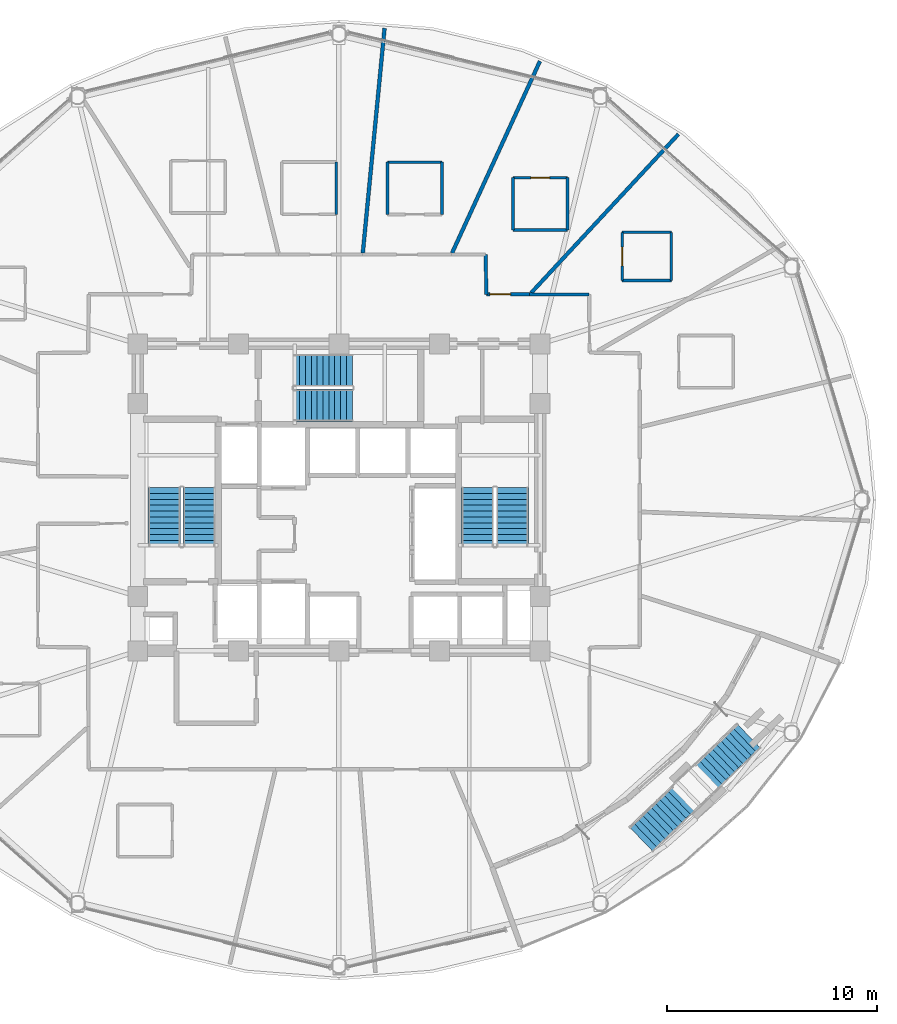
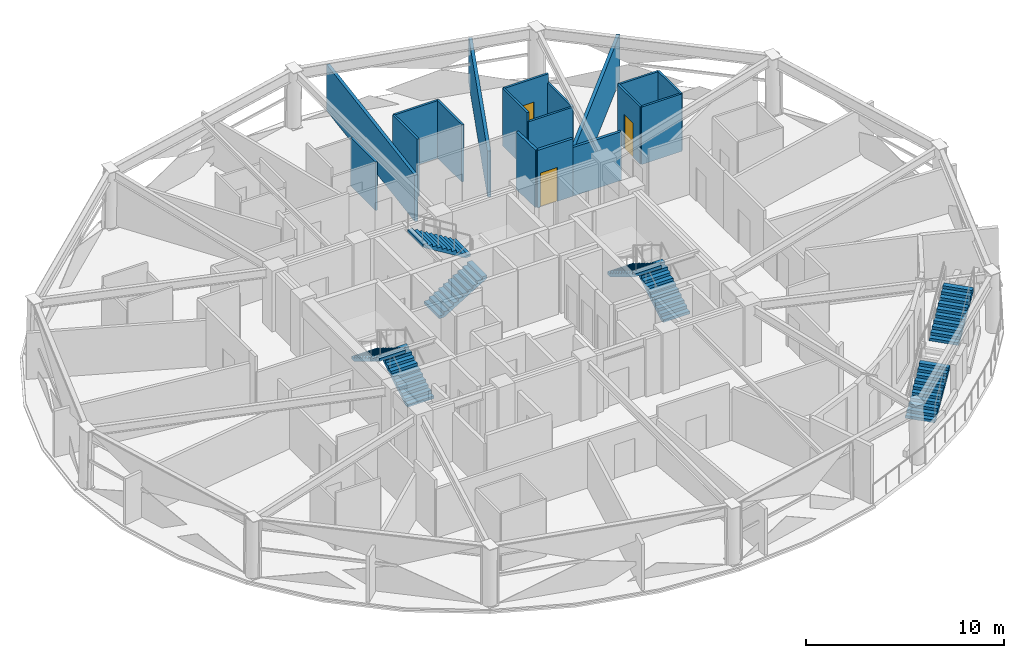
# One storey, part 14 of 18: 18 walls, 8 stair flights, 3 doors, 3 openings, 4 elements without a shape of their own.
"""IFC4 building model written with IfcOpenShell, lengths in metres."""

from ifc_helpers import new_model, si_unit, direction, frame, frame_2d, origin, place, context, subcontext, project, spatial, polyline, rectangle, outline, extrude, material, layer, layer_set, type_object, element, fill, aggregate, save


model = new_model("IFC4")

# Units and contexts
model_context = context("Model", 3, precision=1e-05, world=origin(), true_north=direction((0.0, 1.0)))
body_context = subcontext(model_context, "Body", "Model", "MODEL_VIEW")
ifc_project = project(units=[si_unit("LENGTHUNIT", "METRE"), si_unit("AREAUNIT", "SQUARE_METRE"), si_unit("VOLUMEUNIT", "CUBIC_METRE"), si_unit("PLANEANGLEUNIT", "RADIAN"), si_unit("MASSUNIT", "GRAM", prefix="KILO")], contexts=[model_context])

# Site, building, storey
site_placement = place(None, origin())
site = spatial("IfcSite", under=ifc_project, at=site_placement, CompositionType="ELEMENT")
building_placement = place(site_placement, origin())
building = spatial("IfcBuilding", under=site, at=building_placement, Name="Vantalir Tower", CompositionType="ELEMENT")
storey_placement = place(building_placement, frame((0.0, 0.0, 138.449951171875)))
storey = spatial("IfcBuildingStorey", under=building, at=storey_placement, Name="L34", CompositionType="ELEMENT", Elevation=138.449951171875)

# Walls
ifc_material_1 = material(Name="Moisture-resistant en-suite partition", Category="gypsum")
ifc_layer_1 = layer(ifc_material_1, 0.125)
ifc_layer_set_1 = layer_set([ifc_layer_1], Name="Moisture-resistant en-suite partition")
wall_type_1 = type_object("IfcWallType", Name="WL-BATH-125", PredefinedType="PARTITIONING", material=ifc_layer_set_1)
for number, where, z_axis, x_axis, name in (
    (1, (45.01806640625, 35.47412109375, 0.0), (0.0, 0.0, 1.0), (1.0, 0.0, 0.0), "L34 En-suite 02 South Wall"),
    (2, (45.01806640625, 37.77392578125, 0.0), (0.0, 0.0, 1.0), (1.0, 0.0, 0.0), "L34 En-suite 02 North Wall"),
):
    element("IfcWall", number, at=place(storey_placement, frame(where, z_axis=z_axis, x_axis=x_axis)), inside=storey, type_object=wall_type_1, Name=name, PredefinedType="PARTITIONING", context=body_context, shape_type="SweptSolid", body=[
        extrude(rectangle(XDim=2.349853515625, YDim=0.125, at=frame_2d((1.1748046875, 0.0))), origin(), (0.0, 0.0, 1.0), 3.550048828125),
    ])

# Wall, opening, door
wall_1_placement = place(storey_placement, frame((45.01806640625, 35.47412109375, 0.0), z_axis=(0.0, 0.0, 1.0), x_axis=(0.0, 1.0, 0.0)))
wall_1 = element("IfcWall", 3, at=wall_1_placement, inside=storey, type_object=wall_type_1, Name="L34 En-suite 02 West Wall", PredefinedType="PARTITIONING", context=body_context, shape_type="SweptSolid", body=[
    extrude(rectangle(XDim=2.2998046875, YDim=0.125, at=frame_2d((1.14990234375, 0.0))), origin(), (0.0, 0.0, 1.0), 3.550048828125),
])
opening_1_placement = place(wall_1_placement, frame((0.699951171875, 0.0, 0.0)))
opening_1 = element("IfcOpeningElement", 4, at=opening_1_placement, cuts=wall_1, Name="Opening D-WC", PredefinedType="OPENING", context=body_context, shape_type="SweptSolid", body=[
    extrude(rectangle(XDim=0.89990234375, YDim=2.10009765625, at=frame_2d((0.449951171875, 1.050048828125))), frame((0.0, 0.072509765625, 0.0), z_axis=(0.0, -1.0, 0.0), x_axis=(1.0, 0.0, 0.0)), (0.0, 0.0, 1.0), 0.14501953125),
])
ifc_material_2 = material(Name="Moisture-resistant hardwood door", Category="wood")
door_type_1 = type_object("IfcDoorType", Name="DR-ENSUITE-900", OperationType="NOTDEFINED", PredefinedType="DOOR", material=ifc_material_2)
door_1_placement = place(opening_1_placement, frame((0.89990234375, 0.0, 0.0), z_axis=(0.0, 0.0, 1.0), x_axis=(-1.0, 0.0, 0.0)))
door_1 = element("IfcDoor", 5, at=door_1_placement, inside=storey, type_object=door_type_1, Name="L34 En-suite 02 Door", OperationType="SINGLE_SWING_LEFT", OverallHeight=2.10009765625, OverallWidth=0.89990234375, PredefinedType="DOOR", context=body_context, shape_type="SweptSolid", body=[
    extrude(rectangle(XDim=0.89990234375, YDim=2.10009765625, at=frame_2d((0.449951171875, 1.050048828125))), frame((0.0, 0.02490234375, 0.0), z_axis=(0.0, -1.0, 0.0), x_axis=(1.0, 0.0, 0.0)), (0.0, 0.0, 1.0), 0.050048828125),
])
fill(opening_1, door_1)

# Walls
wall_2_placement = place(storey_placement, frame((47.367919921875, 35.47412109375, 0.0), z_axis=(0.0, 0.0, 1.0), x_axis=(0.0, 1.0, 0.0)))
element("IfcWall", 6, at=wall_2_placement, inside=storey, type_object=wall_type_1, Name="L34 En-suite 02 East Wall", PredefinedType="PARTITIONING", context=body_context, shape_type="SweptSolid", body=[
    extrude(rectangle(XDim=2.2998046875, YDim=0.125, at=frame_2d((1.14990234375, 0.0))), origin(), (0.0, 0.0, 1.0), 3.550048828125),
])
wall_3_placement = place(storey_placement, frame((39.80810546875, 37.885986328125, 0.0), z_axis=(0.0, 0.0, 1.0), x_axis=(1.0, 0.0, 0.0)))
element("IfcWall", 7, at=wall_3_placement, inside=storey, type_object=wall_type_1, Name="L34 En-suite 03 South Wall", PredefinedType="PARTITIONING", context=body_context, shape_type="SweptSolid", body=[
    extrude(rectangle(XDim=2.599853515625, YDim=0.125, at=frame_2d((1.2998046875, 0.0))), origin(), (0.0, 0.0, 1.0), 3.006103515625),
])

# Wall, opening, door
wall_4_placement = place(storey_placement, frame((39.80810546875, 40.385986328125, 0.0), z_axis=(0.0, 0.0, 1.0), x_axis=(1.0, 0.0, 0.0)))
wall_4 = element("IfcWall", 8, at=wall_4_placement, inside=storey, type_object=wall_type_1, Name="L34 En-suite 03 North Wall", PredefinedType="PARTITIONING", context=body_context, shape_type="SweptSolid", body=[
    extrude(rectangle(XDim=2.599853515625, YDim=0.125, at=frame_2d((1.2998046875, 0.0))), origin(), (0.0, 0.0, 1.0), 3.550048828125),
])
opening_2_placement = place(wall_4_placement, frame((0.85009765625, 0.0, 0.0)))
opening_2 = element("IfcOpeningElement", 9, at=opening_2_placement, cuts=wall_4, Name="Opening D-WC", PredefinedType="OPENING", context=body_context, shape_type="SweptSolid", body=[
    extrude(rectangle(XDim=0.89990234375, YDim=2.10009765625, at=frame_2d((0.449951171875, 1.050048828125))), frame((0.0, 0.072509765625, 0.0), z_axis=(0.0, -1.0, 0.0), x_axis=(1.0, 0.0, 0.0)), (0.0, 0.0, 1.0), 0.14501953125),
])
door_2_placement = place(opening_2_placement, frame((0.89990234375, 0.0, 0.0), z_axis=(0.0, 0.0, 1.0), x_axis=(-1.0, 0.0, 0.0)))
door_2 = element("IfcDoor", 10, at=door_2_placement, inside=storey, type_object=door_type_1, Name="L34 En-suite 03 Door", OperationType="SINGLE_SWING_RIGHT", OverallHeight=2.10009765625, OverallWidth=0.89990234375, PredefinedType="DOOR", context=body_context, shape_type="SweptSolid", body=[
    extrude(rectangle(XDim=0.89990234375, YDim=2.10009765625, at=frame_2d((0.449951171875, 1.050048828125))), frame((0.0, 0.02490234375, 0.0), z_axis=(0.0, -1.0, 0.0), x_axis=(1.0, 0.0, 0.0)), (0.0, 0.0, 1.0), 0.050048828125),
])
fill(opening_2, door_2)

# Walls
wall_5_placement = place(storey_placement, frame((39.80810546875, 37.885986328125, 0.0), z_axis=(0.0, 0.0, 1.0), x_axis=(0.0, 1.0, 0.0)))
element("IfcWall", 11, at=wall_5_placement, inside=storey, type_object=wall_type_1, Name="L34 En-suite 03 West Wall", PredefinedType="PARTITIONING", context=body_context, shape_type="SweptSolid", body=[
    extrude(rectangle(XDim=2.5, YDim=0.125, at=frame_2d((1.25, 0.0))), origin(), (0.0, 0.0, 1.0), 3.550048828125),
])
wall_6_placement = place(storey_placement, frame((42.407958984375, 37.885986328125, 0.0), z_axis=(0.0, 0.0, 1.0), x_axis=(0.0, 1.0, 0.0)))
element("IfcWall", 12, at=wall_6_placement, inside=storey, type_object=wall_type_1, Name="L34 En-suite 03 East Wall", PredefinedType="PARTITIONING", context=body_context, shape_type="SweptSolid", body=[
    extrude(rectangle(XDim=2.5, YDim=0.125, at=frame_2d((1.25, 0.0))), origin(), (0.0, 0.0, 1.0), 3.006103515625),
])
wall_7_placement = place(storey_placement, frame((33.820068359375, 41.12890625, 0.0), z_axis=(0.0, 0.0, 1.0), x_axis=(1.0, 0.0, 0.0)))
element("IfcWall", 13, at=wall_7_placement, inside=storey, type_object=wall_type_1, Name="L34 En-suite 04 North Wall", PredefinedType="PARTITIONING", context=body_context, shape_type="SweptSolid", body=[
    extrude(rectangle(XDim=2.599853515625, YDim=0.125, at=frame_2d((1.2998046875, 0.0))), origin(), (0.0, 0.0, 1.0), 3.550048828125),
])
for number, where, z_axis, x_axis, name in (
    (14, (33.820068359375, 38.62890625, 0.0), (0.0, 0.0, 1.0), (0.0, 1.0, 0.0), "L34 En-suite 04 West Wall"),
    (15, (36.419921875, 38.62890625, 0.0), (0.0, 0.0, 1.0), (0.0, 1.0, 0.0), "L34 En-suite 04 East Wall"),
):
    element("IfcWall", number, at=place(storey_placement, frame(where, z_axis=z_axis, x_axis=x_axis)), inside=storey, type_object=wall_type_1, Name=name, PredefinedType="PARTITIONING", context=body_context, shape_type="SweptSolid", body=[
        extrude(rectangle(XDim=2.5, YDim=0.125, at=frame_2d((1.25, 0.0))), origin(), (0.0, 0.0, 1.0), 3.550048828125),
    ])
wall_8_placement = place(storey_placement, frame((31.376953125, 38.631103515625, 0.0), z_axis=(0.0, 0.0, 1.0), x_axis=(0.0, 1.0, 0.0)))
element("IfcWall", 16, at=wall_8_placement, inside=storey, type_object=wall_type_1, Name="L34 En-suite 05 East Wall", PredefinedType="PARTITIONING", context=body_context, shape_type="SweptSolid", body=[
    extrude(rectangle(XDim=2.5, YDim=0.125, at=frame_2d((1.25, 0.0))), origin(), (0.0, 0.0, 1.0), 3.006103515625),
])
ifc_material_3 = material(Name="Fire-rated hotel corridor acoustic partition", Category="gypsum")
ifc_layer_2 = layer(ifc_material_3, 0.159912109375)
ifc_layer_set_2 = layer_set([ifc_layer_2], Name="Fire-rated hotel corridor acoustic partition")
wall_type_2 = type_object("IfcWallType", Name="WL-CORR-160", PredefinedType="PARTITIONING", material=ifc_layer_set_2)
wall_9_placement = place(storey_placement, frame((38.5, 36.715087890625, 0.0), z_axis=(0.0, 0.0, 1.0), x_axis=(0.021066889789, -0.999778068451, 0.0)))
element("IfcWall", 17, at=wall_9_placement, inside=storey, type_object=wall_type_2, Name="L34 Corridor Partition 14", PredefinedType="PARTITIONING", context=body_context, shape_type="SweptSolid", body=[
    extrude(rectangle(XDim=1.900634765625, YDim=0.159912109375, at=frame_2d((0.9501953125, 0.0))), origin(), (0.0, 0.0, 1.0), 3.550048828125),
])

# Wall, opening, door
wall_10_placement = place(storey_placement, frame((38.5400390625, 34.81494140625, 0.0), z_axis=(0.0, 0.0, 1.0), x_axis=(0.999998995441, -0.00141743302, 0.0)))
wall_10 = element("IfcWall", 18, at=wall_10_placement, inside=storey, type_object=wall_type_2, Name="L34 Corridor Partition 15", PredefinedType="PARTITIONING", context=body_context, shape_type="SweptSolid", body=[
    extrude(rectangle(XDim=2.06689453125, YDim=0.159912109375, at=frame_2d((1.033447265625, 0.0))), origin(), (0.0, 0.0, 1.0), 3.550048828125),
])
opening_3_placement = place(wall_10_placement, frame((0.159912109375, 0.0, 0.0)))
opening_3 = element("IfcOpeningElement", 19, at=opening_3_placement, cuts=wall_10, Name="Opening D-GUEST", PredefinedType="OPENING", context=body_context, shape_type="SweptSolid", body=[
    extrude(rectangle(XDim=1.0, YDim=2.10009765625, at=frame_2d((0.5, 1.050048828125))), frame((0.0, 0.08984375, 0.0), z_axis=(0.0, -1.0, 0.0), x_axis=(1.0, 0.0, 0.0)), (0.0, 0.0, 1.0), 0.179931640625),
])
ifc_material_4 = material(Name="Solid-core teak veneer acoustic fire door", Category="wood")
door_type_2 = type_object("IfcDoorType", Name="DR-GUEST-ENTRY-1000", OperationType="NOTDEFINED", PredefinedType="DOOR", material=ifc_material_4)
door_3_placement = place(opening_3_placement, origin())
door_3 = element("IfcDoor", 20, at=door_3_placement, inside=storey, type_object=door_type_2, Name="L34 Deluxe King Hotel Room 03 Door", OperationType="SINGLE_SWING_RIGHT", OverallHeight=2.10009765625, OverallWidth=1.0, PredefinedType="DOOR", context=body_context, shape_type="SweptSolid", body=[
    extrude(rectangle(XDim=1.0, YDim=2.10009765625, at=frame_2d((0.5, 1.050048828125))), frame((0.0, 0.02490234375, 0.0), z_axis=(0.0, -1.0, 0.0), x_axis=(1.0, 0.0, 0.0)), (0.0, 0.0, 1.0), 0.050048828125),
])
fill(opening_3, door_3)

# Walls
wall_11_placement = place(storey_placement, frame((40.60693359375, 34.81201171875, 0.0), z_axis=(0.0, 0.0, 1.0), x_axis=(0.999999054142, -0.001375396275, 0.0)))
element("IfcWall", 21, at=wall_11_placement, inside=storey, type_object=wall_type_2, Name="L34 Corridor Partition 16", PredefinedType="PARTITIONING", context=body_context, shape_type="SweptSolid", body=[
    extrude(rectangle(XDim=2.840087890625, YDim=0.159912109375, at=frame_2d((1.419921875, 0.0))), origin(), (0.0, 0.0, 1.0), 3.006103515625),
])
ifc_material_5 = material(Name="Twin-stud acoustic fire-rated gypsum partition", Category="gypsum")
ifc_layer_3 = layer(ifc_material_5, 0.179931640625)
ifc_layer_set_3 = layer_set([ifc_layer_3], Name="Twin-stud acoustic fire-rated gypsum partition")
wall_type_3 = type_object("IfcWallType", Name="WL-GUEST-180", PredefinedType="PARTITIONING", material=ifc_layer_set_3)
wall_12_placement = place(storey_placement, frame((40.678955078125, 34.889892578125, 0.0), z_axis=(0.0, 0.0, 1.0), x_axis=(0.680283347566, 0.732949225407, 0.0)))
element("IfcWall", 22, at=wall_12_placement, inside=storey, type_object=wall_type_3, Name="L34 Radial Suite Partition 03", PredefinedType="PARTITIONING", context=body_context, shape_type="SweptSolid", body=[
    extrude(rectangle(XDim=10.328125, YDim=0.179931640625, at=frame_2d((5.1640625, 0.0))), origin(), (0.0, 0.0, 1.0), 2.85205078125),
])
wall_13_placement = place(storey_placement, frame((36.902099609375, 36.7900390625, 0.0), z_axis=(0.0, 0.0, 1.0), x_axis=(0.416432554109, 0.909166611726, 0.0)))
element("IfcWall", 23, at=wall_13_placement, inside=storey, type_object=wall_type_3, Name="L34 Radial Suite Partition 04", PredefinedType="PARTITIONING", context=body_context, shape_type="SweptSolid", body=[
    extrude(rectangle(XDim=10.066162109375, YDim=0.179931640625, at=frame_2d((5.033203125, 0.0))), origin(), (0.0, 0.0, 1.0), 2.85205078125),
])
wall_14_placement = place(storey_placement, frame((32.64111328125, 36.7900390625, 0.0), z_axis=(0.0, 0.0, 1.0), x_axis=(0.096319850098, 0.995350434007, 0.0)))
element("IfcWall", 24, at=wall_14_placement, inside=storey, type_object=wall_type_3, Name="L34 Radial Suite Partition 05", PredefinedType="PARTITIONING", context=body_context, shape_type="SweptSolid", body=[
    extrude(rectangle(XDim=10.77490234375, YDim=0.179931640625, at=frame_2d((5.387451171875, 0.0))), origin(), (0.0, 0.0, 1.0), 2.85205078125),
])

# Stair, stair flights
ifc_material_6 = material(Name="Concrete C40/50", Category="concrete")
stair_type_1 = type_object("IfcStairType", Name="STR-CORE-1450", PredefinedType="HALF_TURN_STAIR", material=ifc_material_6)
stair_1_placement = place(storey_placement, origin())
stair_1 = element("IfcStair", 25, at=stair_1_placement, inside=storey, type_object=stair_type_1, Name="L34 Core Exit Stair 1", PredefinedType="HALF_TURN_STAIR")
stair_flight_type_1 = type_object("IfcStairFlightType", Name="FLT-CORE-1450", PredefinedType="STRAIGHT", material=ifc_material_6)
stair_flight_1_placement = place(storey_placement, frame((24.830078125, 22.7900390625, 0.0), z_axis=(0.0, 0.0, 1.0), x_axis=(0.0, 1.0, 0.0)))
stair_flight_1 = element("IfcStairFlight", 26, at=stair_flight_1_placement, type_object=stair_flight_type_1, Name="ST1 flight 1", NumberOfRisers=11, NumberOfTreads=10, PredefinedType="STRAIGHT", RiserHeight=0.170454545, TreadLength=0.28, context=body_context, shape_type="SweptSolid", body=[
    extrude(outline(polyline([(0.0, 0.0), (0.0, 0.17041015625), (0.280029296875, 0.17041015625), (0.280029296875, 0.3408203125), (0.56005859375, 0.3408203125), (0.56005859375, 0.511474609375), (0.840087890625, 0.511474609375), (0.840087890625, 0.681884765625), (1.1201171875, 0.681884765625), (1.1201171875, 0.852294921875), (1.39990234375, 0.852294921875), (1.39990234375, 1.022705078125), (1.679931640625, 1.022705078125), (1.679931640625, 1.193115234375), (1.9599609375, 1.193115234375), (1.9599609375, 1.363525390625), (2.239990234375, 1.363525390625), (2.239990234375, 1.5341796875), (2.52001953125, 1.5341796875), (2.52001953125, 1.70458984375), (2.800048828125, 1.70458984375), (2.800048828125, 1.875), (2.800048828125, 1.529052734375), (0.288330078125, 0.0), (0.0, 0.0)])), frame((0.0, 0.77001953125, 0.0), z_axis=(0.0, -1.0, 0.0), x_axis=(1.0, 0.0, 0.0)), (0.0, 0.0, 1.0), 1.5400390625),
])
stair_flight_2_placement = place(storey_placement, frame((23.169921875, 25.590087890625, 1.875), z_axis=(0.0, 0.0, 1.0), x_axis=(0.0, -1.0, 0.0)))
stair_flight_2 = element("IfcStairFlight", 27, at=stair_flight_2_placement, type_object=stair_flight_type_1, Name="ST1 flight 2", NumberOfRisers=11, NumberOfTreads=10, PredefinedType="STRAIGHT", RiserHeight=0.170454545, TreadLength=0.28, context=body_context, shape_type="SweptSolid", body=[
    extrude(outline(polyline([(0.0, 0.0), (0.0, 0.17041015625), (0.280029296875, 0.17041015625), (0.280029296875, 0.3408203125), (0.56005859375, 0.3408203125), (0.56005859375, 0.511474609375), (0.840087890625, 0.511474609375), (0.840087890625, 0.681884765625), (1.1201171875, 0.681884765625), (1.1201171875, 0.852294921875), (1.39990234375, 0.852294921875), (1.39990234375, 1.022705078125), (1.679931640625, 1.022705078125), (1.679931640625, 1.193115234375), (1.9599609375, 1.193115234375), (1.9599609375, 1.363525390625), (2.239990234375, 1.363525390625), (2.239990234375, 1.5341796875), (2.52001953125, 1.5341796875), (2.52001953125, 1.70458984375), (2.800048828125, 1.70458984375), (2.800048828125, 1.875), (2.800048828125, 1.529052734375), (0.288330078125, 0.0), (0.0, 0.0)])), frame((0.0, 0.77001953125, 0.0), z_axis=(0.0, -1.0, 0.0), x_axis=(1.0, 0.0, 0.0)), (0.0, 0.0, 1.0), 1.5400390625),
])
aggregate(stair_1, [stair_flight_1, stair_flight_2])

stair_2_placement = place(storey_placement, origin())
stair_2 = element("IfcStair", 28, at=stair_2_placement, inside=storey, type_object=stair_type_1, Name="L34 Core Exit Stair 2", PredefinedType="HALF_TURN_STAIR")
stair_flight_3_placement = place(storey_placement, frame((39.780029296875, 22.7900390625, 0.0), z_axis=(0.0, 0.0, 1.0), x_axis=(0.0, 1.0, 0.0)))
stair_flight_3 = element("IfcStairFlight", 29, at=stair_flight_3_placement, type_object=stair_flight_type_1, Name="ST2 flight 1", NumberOfRisers=11, NumberOfTreads=10, PredefinedType="STRAIGHT", RiserHeight=0.170454545, TreadLength=0.28, context=body_context, shape_type="SweptSolid", body=[
    extrude(outline(polyline([(0.0, 0.0), (0.0, 0.17041015625), (0.280029296875, 0.17041015625), (0.280029296875, 0.3408203125), (0.56005859375, 0.3408203125), (0.56005859375, 0.511474609375), (0.840087890625, 0.511474609375), (0.840087890625, 0.681884765625), (1.1201171875, 0.681884765625), (1.1201171875, 0.852294921875), (1.39990234375, 0.852294921875), (1.39990234375, 1.022705078125), (1.679931640625, 1.022705078125), (1.679931640625, 1.193115234375), (1.9599609375, 1.193115234375), (1.9599609375, 1.363525390625), (2.239990234375, 1.363525390625), (2.239990234375, 1.5341796875), (2.52001953125, 1.5341796875), (2.52001953125, 1.70458984375), (2.800048828125, 1.70458984375), (2.800048828125, 1.875), (2.800048828125, 1.529052734375), (0.288330078125, 0.0), (0.0, 0.0)])), frame((0.0, 0.77001953125, 0.0), z_axis=(0.0, -1.0, 0.0), x_axis=(1.0, 0.0, 0.0)), (0.0, 0.0, 1.0), 1.5400390625),
])
stair_flight_4_placement = place(storey_placement, frame((38.1201171875, 25.590087890625, 1.875), z_axis=(0.0, 0.0, 1.0), x_axis=(0.0, -1.0, 0.0)))
stair_flight_4 = element("IfcStairFlight", 30, at=stair_flight_4_placement, type_object=stair_flight_type_1, Name="ST2 flight 2", NumberOfRisers=11, NumberOfTreads=10, PredefinedType="STRAIGHT", RiserHeight=0.170454545, TreadLength=0.28, context=body_context, shape_type="SweptSolid", body=[
    extrude(outline(polyline([(0.0, 0.0), (0.0, 0.17041015625), (0.280029296875, 0.17041015625), (0.280029296875, 0.3408203125), (0.56005859375, 0.3408203125), (0.56005859375, 0.511474609375), (0.840087890625, 0.511474609375), (0.840087890625, 0.681884765625), (1.1201171875, 0.681884765625), (1.1201171875, 0.852294921875), (1.39990234375, 0.852294921875), (1.39990234375, 1.022705078125), (1.679931640625, 1.022705078125), (1.679931640625, 1.193115234375), (1.9599609375, 1.193115234375), (1.9599609375, 1.363525390625), (2.239990234375, 1.363525390625), (2.239990234375, 1.5341796875), (2.52001953125, 1.5341796875), (2.52001953125, 1.70458984375), (2.800048828125, 1.70458984375), (2.800048828125, 1.875), (2.800048828125, 1.529052734375), (0.288330078125, 0.0), (0.0, 0.0)])), frame((0.0, 0.77001953125, 0.0), z_axis=(0.0, -1.0, 0.0), x_axis=(1.0, 0.0, 0.0)), (0.0, 0.0, 1.0), 1.5400390625),
])
aggregate(stair_2, [stair_flight_3, stair_flight_4])

stair_3_placement = place(storey_placement, origin())
stair_3 = element("IfcStair", 31, at=stair_3_placement, inside=storey, type_object=stair_type_1, Name="L34 Core Exit Stair 3", PredefinedType="HALF_TURN_STAIR")
stair_flight_5_placement = place(storey_placement, frame((29.340087890625, 29.52001953125, 0.0), z_axis=(0.0, 0.0, 1.0), x_axis=(1.0, 0.0, 0.0)))
stair_flight_5 = element("IfcStairFlight", 32, at=stair_flight_5_placement, type_object=stair_flight_type_1, Name="ST3 flight 1", NumberOfRisers=11, NumberOfTreads=10, PredefinedType="STRAIGHT", RiserHeight=0.170454545, TreadLength=0.28, context=body_context, shape_type="SweptSolid", body=[
    extrude(outline(polyline([(0.0, 0.0), (0.0, 0.17041015625), (0.280029296875, 0.17041015625), (0.280029296875, 0.3408203125), (0.56005859375, 0.3408203125), (0.56005859375, 0.511474609375), (0.840087890625, 0.511474609375), (0.840087890625, 0.681884765625), (1.1201171875, 0.681884765625), (1.1201171875, 0.852294921875), (1.39990234375, 0.852294921875), (1.39990234375, 1.022705078125), (1.679931640625, 1.022705078125), (1.679931640625, 1.193115234375), (1.9599609375, 1.193115234375), (1.9599609375, 1.363525390625), (2.239990234375, 1.363525390625), (2.239990234375, 1.5341796875), (2.52001953125, 1.5341796875), (2.52001953125, 1.70458984375), (2.800048828125, 1.70458984375), (2.800048828125, 1.875), (2.800048828125, 1.529052734375), (0.288330078125, 0.0), (0.0, 0.0)])), frame((0.0, 0.77001953125, 0.0), z_axis=(0.0, -1.0, 0.0), x_axis=(1.0, 0.0, 0.0)), (0.0, 0.0, 1.0), 1.5400390625),
])
stair_flight_6_placement = place(storey_placement, frame((32.139892578125, 31.179931640625, 1.875), z_axis=(0.0, 0.0, 1.0), x_axis=(-1.0, 0.0, 0.0)))
stair_flight_6 = element("IfcStairFlight", 33, at=stair_flight_6_placement, type_object=stair_flight_type_1, Name="ST3 flight 2", NumberOfRisers=11, NumberOfTreads=10, PredefinedType="STRAIGHT", RiserHeight=0.170454545, TreadLength=0.28, context=body_context, shape_type="SweptSolid", body=[
    extrude(outline(polyline([(0.0, 0.0), (0.0, 0.17041015625), (0.280029296875, 0.17041015625), (0.280029296875, 0.3408203125), (0.56005859375, 0.3408203125), (0.56005859375, 0.511474609375), (0.840087890625, 0.511474609375), (0.840087890625, 0.681884765625), (1.1201171875, 0.681884765625), (1.1201171875, 0.852294921875), (1.39990234375, 0.852294921875), (1.39990234375, 1.022705078125), (1.679931640625, 1.022705078125), (1.679931640625, 1.193115234375), (1.9599609375, 1.193115234375), (1.9599609375, 1.363525390625), (2.239990234375, 1.363525390625), (2.239990234375, 1.5341796875), (2.52001953125, 1.5341796875), (2.52001953125, 1.70458984375), (2.800048828125, 1.70458984375), (2.800048828125, 1.875), (2.800048828125, 1.529052734375), (0.288330078125, 0.0), (0.0, 0.0)])), frame((0.0, 0.77001953125, 0.0), z_axis=(0.0, -1.0, 0.0), x_axis=(1.0, 0.0, 0.0)), (0.0, 0.0, 1.0), 1.5400390625),
])
aggregate(stair_3, [stair_flight_5, stair_flight_6])

ifc_material_7 = material(Name="Steel S355", Category="steel")
stair_type_2 = type_object("IfcStairType", Name="STR-SKYGARDEN-1550", PredefinedType="STRAIGHT_RUN_STAIR", material=ifc_material_7)
stair_4_placement = place(storey_placement, origin())
stair_4 = element("IfcStair", 34, at=stair_4_placement, inside=storey, type_object=stair_type_2, Name="Sky Garden Feature Stair SG2", PredefinedType="STRAIGHT_RUN_STAIR")
stair_flight_type_2 = type_object("IfcStairFlightType", Name="FLT-SKYGARDEN-1550", PredefinedType="STRAIGHT", material=ifc_material_7)
stair_flight_7_placement = place(storey_placement, frame((45.919921875, 8.81396484375, 0.0), z_axis=(0.0, 0.0, 1.0), x_axis=(0.720737458683, 0.693208132996, 0.0)))
stair_flight_7 = element("IfcStairFlight", 35, at=stair_flight_7_placement, type_object=stair_flight_type_2, Name="ST-SG2 flight 1", NumberOfRisers=11, NumberOfTreads=10, PredefinedType="STRAIGHT", RiserHeight=0.170455, TreadLength=0.28, context=body_context, shape_type="SweptSolid", body=[
    extrude(outline(polyline([(0.0, 0.0), (0.0, 0.17041015625), (0.280029296875, 0.17041015625), (0.280029296875, 0.3408203125), (0.56005859375, 0.3408203125), (0.56005859375, 0.511474609375), (0.840087890625, 0.511474609375), (0.840087890625, 0.681884765625), (1.1201171875, 0.681884765625), (1.1201171875, 0.852294921875), (1.39990234375, 0.852294921875), (1.39990234375, 1.022705078125), (1.679931640625, 1.022705078125), (1.679931640625, 1.193115234375), (1.9599609375, 1.193115234375), (1.9599609375, 1.363525390625), (2.239990234375, 1.363525390625), (2.239990234375, 1.5341796875), (2.52001953125, 1.5341796875), (2.52001953125, 1.70458984375), (2.800048828125, 1.70458984375), (2.800048828125, 1.875), (2.800048828125, 1.517333984375), (0.3076171875, 0.0), (0.0, 0.0)])), frame((0.0, 0.77490234375, 0.0), z_axis=(0.0, -1.0, 0.0), x_axis=(1.0, 0.0, 0.0)), (0.0, 0.0, 1.0), 1.550048828125),
])
stair_flight_8_placement = place(storey_placement, frame((49.033935546875, 11.80908203125, 1.875), z_axis=(0.0, 0.0, 1.0), x_axis=(0.720737458683, 0.693208132996, 0.0)))
stair_flight_8 = element("IfcStairFlight", 36, at=stair_flight_8_placement, type_object=stair_flight_type_2, Name="ST-SG2 flight 2", NumberOfRisers=11, NumberOfTreads=10, PredefinedType="STRAIGHT", RiserHeight=0.170455, TreadLength=0.28, context=body_context, shape_type="SweptSolid", body=[
    extrude(outline(polyline([(0.0, 0.0), (0.0, 0.17041015625), (0.280029296875, 0.17041015625), (0.280029296875, 0.3408203125), (0.56005859375, 0.3408203125), (0.56005859375, 0.511474609375), (0.840087890625, 0.511474609375), (0.840087890625, 0.681884765625), (1.1201171875, 0.681884765625), (1.1201171875, 0.852294921875), (1.39990234375, 0.852294921875), (1.39990234375, 1.022705078125), (1.679931640625, 1.022705078125), (1.679931640625, 1.193115234375), (1.9599609375, 1.193115234375), (1.9599609375, 1.363525390625), (2.239990234375, 1.363525390625), (2.239990234375, 1.5341796875), (2.52001953125, 1.5341796875), (2.52001953125, 1.70458984375), (2.800048828125, 1.70458984375), (2.800048828125, 1.875), (2.800048828125, 1.517333984375), (0.3076171875, 0.0), (0.0, 0.0)])), frame((0.0, 0.77490234375, 0.0), z_axis=(0.0, -1.0, 0.0), x_axis=(1.0, 0.0, 0.0)), (0.0, 0.0, 1.0), 1.550048828125),
])
aggregate(stair_4, [stair_flight_7, stair_flight_8])

save(model, "model.ifc")
